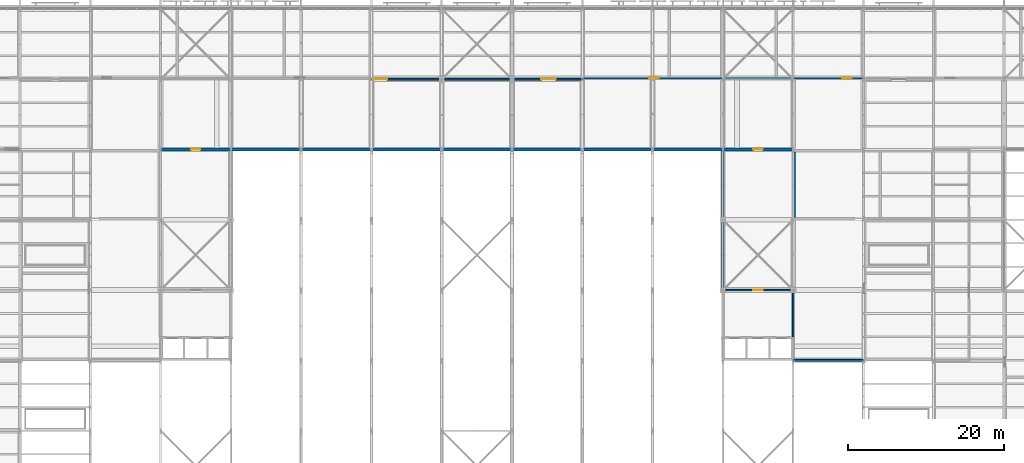
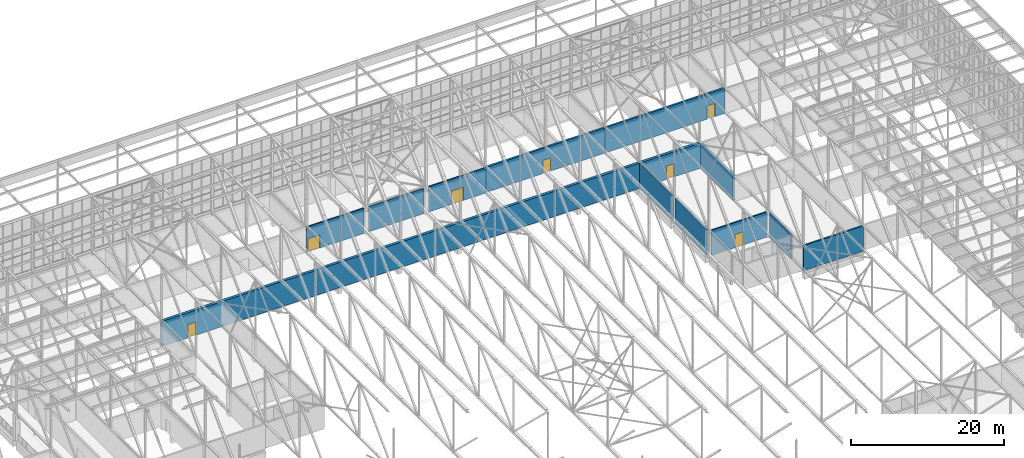
# One storey, part 171 of 646: 12 walls, 7 doors, 7 openings.
"""IFC4 building model written with IfcOpenShell, lengths in metres."""

from ifc_helpers import new_model, si_unit, direction, frame, frame_2d, origin, place, context, subcontext, project, spatial, rectangle, extrude, material, layer, layer_set, type_object, element, fill, save


model = new_model("IFC4")

# Units and contexts
model_context = context("Model", 3, precision=1e-05, world=origin(), true_north=direction((0.0, 1.0)))
body_context = subcontext(model_context, "Body", "Model", "MODEL_VIEW")
ifc_project = project(units=[si_unit("LENGTHUNIT", "METRE"), si_unit("AREAUNIT", "SQUARE_METRE"), si_unit("VOLUMEUNIT", "CUBIC_METRE"), si_unit("PLANEANGLEUNIT", "RADIAN"), si_unit("MASSUNIT", "GRAM", prefix="KILO")], contexts=[model_context])

# Site, building, storey
site_placement = place(None, origin())
site = spatial("IfcSite", under=ifc_project, at=site_placement, CompositionType="ELEMENT")
building_placement = place(site_placement, origin())
building = spatial("IfcBuilding", under=site, at=building_placement, Name="Silverbay Arena", CompositionType="ELEMENT")
storey_placement = place(building_placement, frame((0.0, 0.0, 33.5)))
storey = spatial("IfcBuildingStorey", under=building, at=storey_placement, Name="L05", CompositionType="ELEMENT", Elevation=33.5)

# Walls
ifc_material_1 = material(Name="Concrete Grade C45", Category="concrete")
ifc_layer_1 = layer(ifc_material_1, 0.25)
ifc_layer_set_1 = layer_set([ifc_layer_1], Name="Concrete Grade C45")
wall_type_1 = type_object("IfcWallType", Name="Bowl enclosure wall RC 250 EI 120", PredefinedType="SOLIDWALL", material=ifc_layer_set_1)
wall_1_placement = place(storey_placement, frame((162.0, 108.35009765625, 0.0), z_axis=(0.0, 0.0, 1.0), x_axis=(0.0, 1.0, 0.0)))
element("IfcWall", 1, at=wall_1_placement, inside=storey, type_object=wall_type_1, Name="Bowl enclosure wall, corner block NE-x", PredefinedType="SOLIDWALL", context=body_context, shape_type="SweptSolid", body=[
    extrude(rectangle(XDim=8.2998046875, YDim=0.25, at=frame_2d((4.14990234375, 0.0))), origin(), (0.0, 0.0, 1.0), 4.0),
])
wall_2_placement = place(storey_placement, frame((162.0, 117.35009765625, 0.0), z_axis=(0.0, 0.0, 1.0), x_axis=(0.0, 1.0, 0.0)))
element("IfcWall", 2, at=wall_2_placement, inside=storey, type_object=wall_type_1, Name="Bowl enclosure wall, corner block NE-x", PredefinedType="SOLIDWALL", context=body_context, shape_type="SweptSolid", body=[
    extrude(rectangle(XDim=8.449951171875, YDim=0.25, at=frame_2d((4.22509765625, 0.0))), origin(), (0.0, 0.0, 1.0), 4.0),
])
wall_3_placement = place(storey_placement, frame((171.0, 99.0, 0.0), z_axis=(0.0, 0.0, 1.0), x_axis=(1.0, 0.0, 0.0)))
element("IfcWall", 3, at=wall_3_placement, inside=storey, type_object=wall_type_1, Name="Bowl enclosure wall, corner block NE-y", PredefinedType="SOLIDWALL", context=body_context, shape_type="SweptSolid", body=[
    extrude(rectangle(XDim=9.0, YDim=0.25, at=frame_2d((4.5, 0.0))), origin(), (0.0, 0.0, 1.0), 4.0),
])

# Wall, opening, door
ifc_material_2 = material(Name="Concrete Grade C45", Category="concrete")
ifc_layer_2 = layer(ifc_material_2, 0.300048828125)
ifc_layer_set_2 = layer_set([ifc_layer_2], Name="Concrete Grade C45")
wall_type_2 = type_object("IfcWallType", Name="Core wall RC 300 EI 120", PredefinedType="SHEAR", material=ifc_layer_set_2)
wall_4_placement = place(storey_placement, frame((144.0, 135.14990234375, 0.0), z_axis=(0.0, 0.0, 1.0), x_axis=(1.0, 0.0, 0.0)))
wall_4 = element("IfcWall", 4, at=wall_4_placement, inside=storey, type_object=wall_type_2, Name="Core wall ST-N3 L05 door side", PredefinedType="SHEAR", context=body_context, shape_type="SweptSolid", body=[
    extrude(rectangle(XDim=18.0, YDim=0.300048828125, at=frame_2d((9.0, 0.0))), origin(), (0.0, 0.0, 1.0), 4.0),
])
opening_1_placement = place(wall_4_placement, frame((8.60009765625, 0.0, 0.0)))
opening_1 = element("IfcOpeningElement", 5, at=opening_1_placement, cuts=wall_4, Name="Opening L05-033", PredefinedType="OPENING", context=body_context, shape_type="SweptSolid", body=[
    extrude(rectangle(XDim=1.199951171875, YDim=2.10009765625, at=frame_2d((0.60009765625, 1.050048828125))), frame((0.0, 0.16015625, 0.0), z_axis=(0.0, -1.0, 0.0), x_axis=(1.0, 0.0, 0.0)), (0.0, 0.0, 1.0), 0.320068359375),
])
ifc_material_3 = material(Name="Steel fire door", Category="steel")
door_type_1 = type_object("IfcDoorType", Name="Stair door 1200 x 2100 fire door", OperationType="SINGLE_SWING_LEFT", PredefinedType="DOOR", material=ifc_material_3)
door_1_placement = place(opening_1_placement, origin())
door_1 = element("IfcDoor", 6, at=door_1_placement, inside=storey, type_object=door_type_1, Name="Stair door ST-N3 L05", OperationType="SINGLE_SWING_RIGHT", OverallHeight=2.10009765625, OverallWidth=1.199951171875, PredefinedType="DOOR", context=body_context, shape_type="SweptSolid", body=[
    extrude(rectangle(XDim=1.199951171875, YDim=2.10009765625, at=frame_2d((0.60009765625, 1.050048828125))), frame((0.0, 0.02490234375, 0.0), z_axis=(0.0, -1.0, 0.0), x_axis=(1.0, 0.0, 0.0)), (0.0, 0.0, 1.0), 0.050048828125),
])
fill(opening_1, door_1)

wall_5_placement = place(storey_placement, frame((180.0, 135.14990234375, 0.0), z_axis=(0.0, 0.0, 1.0), x_axis=(-1.0, 0.0, 0.0)))
wall_5 = element("IfcWall", 7, at=wall_5_placement, inside=storey, type_object=wall_type_2, Name="Core wall ST-N4 L05 door side", PredefinedType="SHEAR", context=body_context, shape_type="SweptSolid", body=[
    extrude(rectangle(XDim=18.0, YDim=0.300048828125, at=frame_2d((9.0, 0.0))), origin(), (0.0, 0.0, 1.0), 4.0),
])
opening_2_placement = place(wall_5_placement, frame((1.5, 0.0, 0.0)))
opening_2 = element("IfcOpeningElement", 8, at=opening_2_placement, cuts=wall_5, Name="Opening L05-034", PredefinedType="OPENING", context=body_context, shape_type="SweptSolid", body=[
    extrude(rectangle(XDim=1.199951171875, YDim=2.10009765625, at=frame_2d((0.60009765625, 1.050048828125))), frame((0.0, 0.16015625, 0.0), z_axis=(0.0, -1.0, 0.0), x_axis=(1.0, 0.0, 0.0)), (0.0, 0.0, 1.0), 0.320068359375),
])
door_2_placement = place(opening_2_placement, frame((1.199951171875, 0.0, 0.0), z_axis=(0.0, 0.0, 1.0), x_axis=(-1.0, 0.0, 0.0)))
door_2 = element("IfcDoor", 9, at=door_2_placement, inside=storey, type_object=door_type_1, Name="Stair door ST-N4 L05", OperationType="SINGLE_SWING_RIGHT", OverallHeight=2.10009765625, OverallWidth=1.199951171875, PredefinedType="DOOR", context=body_context, shape_type="SweptSolid", body=[
    extrude(rectangle(XDim=1.199951171875, YDim=2.10009765625, at=frame_2d((0.60009765625, 1.050048828125))), frame((0.0, 0.02490234375, 0.0), z_axis=(0.0, -1.0, 0.0), x_axis=(1.0, 0.0, 0.0)), (0.0, 0.0, 1.0), 0.050048828125),
])
fill(opening_2, door_2)

# Wall
wall_6_placement = place(storey_placement, frame((171.14990234375, 117.300048828125, 0.0), z_axis=(0.0, 0.0, 1.0), x_axis=(0.0, 1.0, 0.0)))
element("IfcWall", 10, at=wall_6_placement, inside=storey, type_object=wall_type_2, Name="Core wall ST-NE1 L05 end 1", PredefinedType="SHEAR", context=body_context, shape_type="SweptSolid", body=[
    extrude(rectangle(XDim=8.39990234375, YDim=0.300048828125, at=frame_2d((4.199951171875, 0.0))), origin(), (0.0, 0.0, 1.0), 4.0),
])

# Wall, opening, door
ifc_material_4 = material(Name="Masonry blockwork partition", Category="masonry")
ifc_layer_3 = layer(ifc_material_4, 0.199951171875)
ifc_layer_set_3 = layer_set([ifc_layer_3], Name="Masonry blockwork partition")
wall_type_3 = type_object("IfcWallType", Name="Partition 200 EI 120", PredefinedType="PARTITIONING", material=ifc_layer_set_3)
wall_7_placement = place(storey_placement, frame((162.35009765625, 108.0, 0.0), z_axis=(0.0, 0.0, 1.0), x_axis=(1.0, 0.0, 0.0)))
wall_7 = element("IfcWall", 11, at=wall_7_placement, inside=storey, type_object=wall_type_3, Name="Partition wall", PredefinedType="PARTITIONING", context=body_context, shape_type="SweptSolid", body=[
    extrude(rectangle(XDim=8.2998046875, YDim=0.199951171875, at=frame_2d((4.14990234375, 0.0))), origin(), (0.0, 0.0, 1.0), 4.0),
])
opening_3_placement = place(wall_7_placement, frame((3.550048828125, 0.0, 0.0)))
opening_3 = element("IfcOpeningElement", 12, at=opening_3_placement, cuts=wall_7, Name="Opening L05-024", PredefinedType="OPENING", context=body_context, shape_type="SweptSolid", body=[
    extrude(rectangle(XDim=1.199951171875, YDim=2.10009765625, at=frame_2d((0.60009765625, 1.050048828125))), frame((0.0, 0.10986328125, 0.0), z_axis=(0.0, -1.0, 0.0), x_axis=(1.0, 0.0, 0.0)), (0.0, 0.0, 1.0), 0.219970703125),
])
ifc_material_5 = material(Name="Steel faced timber", Category="steel")
door_type_2 = type_object("IfcDoorType", Name="Single leaf door 1200 x 2100 FD60", OperationType="SINGLE_SWING_LEFT", PredefinedType="DOOR", material=ifc_material_5)
door_3_placement = place(opening_3_placement, origin())
door_3 = element("IfcDoor", 13, at=door_3_placement, inside=storey, type_object=door_type_2, Name="Door L05-024", OperationType="SINGLE_SWING_RIGHT", OverallHeight=2.10009765625, OverallWidth=1.199951171875, PredefinedType="DOOR", context=body_context, shape_type="SweptSolid", body=[
    extrude(rectangle(XDim=1.199951171875, YDim=2.10009765625, at=frame_2d((0.60009765625, 1.050048828125))), frame((0.0, 0.02490234375, 0.0), z_axis=(0.0, -1.0, 0.0), x_axis=(1.0, 0.0, 0.0)), (0.0, 0.0, 1.0), 0.050048828125),
])
fill(opening_3, door_3)

wall_8_placement = place(storey_placement, frame((135.35009765625, 135.0, 0.0), z_axis=(0.0, 0.0, 1.0), x_axis=(1.0, 0.0, 0.0)))
wall_8 = element("IfcWall", 14, at=wall_8_placement, inside=storey, type_object=wall_type_3, Name="Partition wall", PredefinedType="PARTITIONING", context=body_context, shape_type="SweptSolid", body=[
    extrude(rectangle(XDim=8.64990234375, YDim=0.199951171875, at=frame_2d((4.324951171875, 0.0))), origin(), (0.0, 0.0, 1.0), 4.0),
])
opening_4_placement = place(wall_8_placement, frame((3.425048828125, 0.0, 0.0)))
opening_4 = element("IfcOpeningElement", 15, at=opening_4_placement, cuts=wall_8, Name="Opening L05-005", PredefinedType="OPENING", context=body_context, shape_type="SweptSolid", body=[
    extrude(rectangle(XDim=1.800048828125, YDim=2.10009765625, at=frame_2d((0.89990234375, 1.050048828125))), frame((0.0, 0.10986328125, 0.0), z_axis=(0.0, -1.0, 0.0), x_axis=(1.0, 0.0, 0.0)), (0.0, 0.0, 1.0), 0.219970703125),
])
ifc_material_6 = material(Name="Steel faced timber", Category="steel")
door_type_3 = type_object("IfcDoorType", Name="Double leaf door 1800 x 2100 FD120", OperationType="DOUBLE_DOOR_DOUBLE_SWING", PredefinedType="DOOR", material=ifc_material_6)
door_4_placement = place(opening_4_placement, origin())
door_4 = element("IfcDoor", 16, at=door_4_placement, inside=storey, type_object=door_type_3, Name="Door L05-005", OperationType="DOUBLE_DOOR_DOUBLE_SWING", OverallHeight=2.10009765625, OverallWidth=1.800048828125, PredefinedType="DOOR", context=body_context, shape_type="SweptSolid", body=[
    extrude(rectangle(XDim=1.800048828125, YDim=2.10009765625, at=frame_2d((0.89990234375, 1.050048828125))), frame((0.0, 0.02490234375, 0.0), z_axis=(0.0, -1.0, 0.0), x_axis=(1.0, 0.0, 0.0)), (0.0, 0.0, 1.0), 0.050048828125),
])
fill(opening_4, door_4)

# Wall
wall_9_placement = place(storey_placement, frame((126.35009765625, 135.0, 0.0), z_axis=(0.0, 0.0, 1.0), x_axis=(1.0, 0.0, 0.0)))
element("IfcWall", 17, at=wall_9_placement, inside=storey, type_object=wall_type_3, Name="Partition wall", PredefinedType="PARTITIONING", context=body_context, shape_type="SweptSolid", body=[
    extrude(rectangle(XDim=8.2998046875, YDim=0.199951171875, at=frame_2d((4.14990234375, 0.0))), origin(), (0.0, 0.0, 1.0), 4.0),
])

# Wall, opening, door
wall_10_placement = place(storey_placement, frame((117.0, 135.0, 0.0), z_axis=(0.0, 0.0, 1.0), x_axis=(1.0, 0.0, 0.0)))
wall_10 = element("IfcWall", 18, at=wall_10_placement, inside=storey, type_object=wall_type_3, Name="Partition wall", PredefinedType="PARTITIONING", context=body_context, shape_type="SweptSolid", body=[
    extrude(rectangle(XDim=8.64990234375, YDim=0.199951171875, at=frame_2d((4.324951171875, 0.0))), origin(), (0.0, 0.0, 1.0), 4.0),
])
opening_5_placement = place(wall_10_placement, frame((0.199951171875, 0.0, 0.0)))
opening_5 = element("IfcOpeningElement", 19, at=opening_5_placement, cuts=wall_10, Name="Opening L05-026", PredefinedType="OPENING", context=body_context, shape_type="SweptSolid", body=[
    extrude(rectangle(XDim=1.800048828125, YDim=2.10009765625, at=frame_2d((0.89990234375, 1.050048828125))), frame((0.0, 0.10986328125, 0.0), z_axis=(0.0, -1.0, 0.0), x_axis=(1.0, 0.0, 0.0)), (0.0, 0.0, 1.0), 0.219970703125),
])
door_5_placement = place(opening_5_placement, origin())
door_5 = element("IfcDoor", 20, at=door_5_placement, inside=storey, type_object=door_type_3, Name="Door L05-026", OperationType="DOUBLE_DOOR_DOUBLE_SWING", OverallHeight=2.10009765625, OverallWidth=1.800048828125, PredefinedType="DOOR", context=body_context, shape_type="SweptSolid", body=[
    extrude(rectangle(XDim=1.800048828125, YDim=2.10009765625, at=frame_2d((0.89990234375, 1.050048828125))), frame((0.0, 0.02490234375, 0.0), z_axis=(0.0, -1.0, 0.0), x_axis=(1.0, 0.0, 0.0)), (0.0, 0.0, 1.0), 0.050048828125),
])
fill(opening_5, door_5)

# Wall
wall_11_placement = place(storey_placement, frame((171.0, 102.0, 0.0), z_axis=(0.0, 0.0, 1.0), x_axis=(0.0, 1.0, 0.0)))
element("IfcWall", 21, at=wall_11_placement, inside=storey, type_object=wall_type_3, Name="Partition wall", PredefinedType="PARTITIONING", context=body_context, shape_type="SweptSolid", body=[
    extrude(rectangle(XDim=5.64990234375, YDim=0.199951171875, at=frame_2d((2.824951171875, 0.0))), origin(), (0.0, 0.0, 1.0), 4.0),
])

# Wall, openings, doors
ifc_material_7 = material(Name="Concrete Grade C45", Category="concrete")
ifc_layer_4 = layer(ifc_material_7, 0.39990234375)
ifc_layer_set_4 = layer_set([ifc_layer_4], Name="Concrete Grade C45")
wall_type_4 = type_object("IfcWallType", Name="RC back wall 400 EI 120", PredefinedType="SOLIDWALL", material=ifc_layer_set_4)
wall_12_placement = place(storey_placement, frame((171.0, 126.0, 0.0), z_axis=(0.0, 0.0, 1.0), x_axis=(-1.0, 0.0, 0.0)))
wall_12 = element("IfcWall", 22, at=wall_12_placement, inside=storey, type_object=wall_type_4, Name="Bowl back wall L05 03", PredefinedType="SOLIDWALL", context=body_context, shape_type="SweptSolid", body=[
    extrude(rectangle(XDim=81.0, YDim=0.39990234375, at=frame_2d((40.5, 0.0))), origin(), (0.0, 0.0, 1.0), 4.0),
])
opening_6_placement = place(wall_12_placement, frame((75.89990234375, 0.0, 0.0)))
opening_6 = element("IfcOpeningElement", 23, at=opening_6_placement, cuts=wall_12, Name="Opening L05-065", PredefinedType="OPENING", context=body_context, shape_type="SweptSolid", body=[
    extrude(rectangle(XDim=1.199951171875, YDim=2.10009765625, at=frame_2d((0.60009765625, 1.050048828125))), frame((0.0, 0.2099609375, 0.0), z_axis=(0.0, -1.0, 0.0), x_axis=(1.0, 0.0, 0.0)), (0.0, 0.0, 1.0), 0.419921875),
])
opening_7_placement = place(wall_12_placement, frame((3.89990234375, 0.0, 0.0)))
opening_7 = element("IfcOpeningElement", 24, at=opening_7_placement, cuts=wall_12, Name="Opening L05-066", PredefinedType="OPENING", context=body_context, shape_type="SweptSolid", body=[
    extrude(rectangle(XDim=1.199951171875, YDim=2.10009765625, at=frame_2d((0.60009765625, 1.050048828125))), frame((0.0, 0.2099609375, 0.0), z_axis=(0.0, -1.0, 0.0), x_axis=(1.0, 0.0, 0.0)), (0.0, 0.0, 1.0), 0.419921875),
])
ifc_material_8 = material(Name="Steel faced timber", Category="steel")
door_type_4 = type_object("IfcDoorType", Name="Single leaf door 1200 x 2100 FD120S", OperationType="SINGLE_SWING_LEFT", PredefinedType="DOOR", material=ifc_material_8)
door_6_placement = place(opening_6_placement, frame((1.199951171875, 0.0, 0.0), z_axis=(0.0, 0.0, 1.0), x_axis=(-1.0, 0.0, 0.0)))
door_6 = element("IfcDoor", 25, at=door_6_placement, inside=storey, type_object=door_type_4, Name="Door L05-065", OperationType="SINGLE_SWING_RIGHT", OverallHeight=2.10009765625, OverallWidth=1.199951171875, PredefinedType="DOOR", context=body_context, shape_type="SweptSolid", body=[
    extrude(rectangle(XDim=1.199951171875, YDim=2.10009765625, at=frame_2d((0.60009765625, 1.050048828125))), frame((0.0, 0.02490234375, 0.0), z_axis=(0.0, -1.0, 0.0), x_axis=(1.0, 0.0, 0.0)), (0.0, 0.0, 1.0), 0.050048828125),
])
fill(opening_6, door_6)
door_7_placement = place(opening_7_placement, frame((1.199951171875, 0.0, 0.0), z_axis=(0.0, 0.0, 1.0), x_axis=(-1.0, 0.0, 0.0)))
door_7 = element("IfcDoor", 26, at=door_7_placement, inside=storey, type_object=door_type_4, Name="Door L05-066", OperationType="SINGLE_SWING_RIGHT", OverallHeight=2.10009765625, OverallWidth=1.199951171875, PredefinedType="DOOR", context=body_context, shape_type="SweptSolid", body=[
    extrude(rectangle(XDim=1.199951171875, YDim=2.10009765625, at=frame_2d((0.60009765625, 1.050048828125))), frame((0.0, 0.02490234375, 0.0), z_axis=(0.0, -1.0, 0.0), x_axis=(1.0, 0.0, 0.0)), (0.0, 0.0, 1.0), 0.050048828125),
])
fill(opening_7, door_7)

save(model, "model.ifc")
